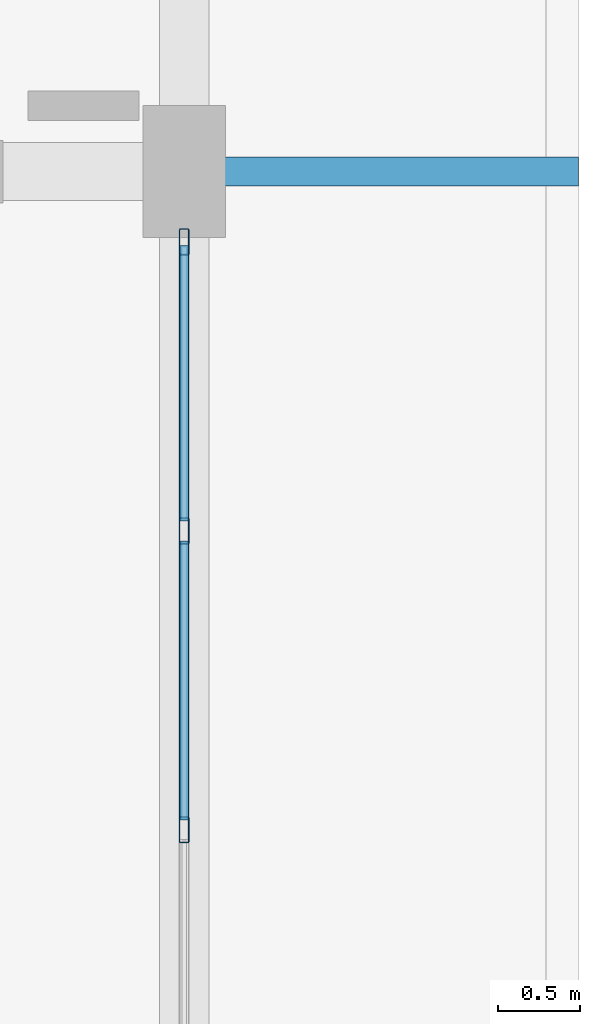
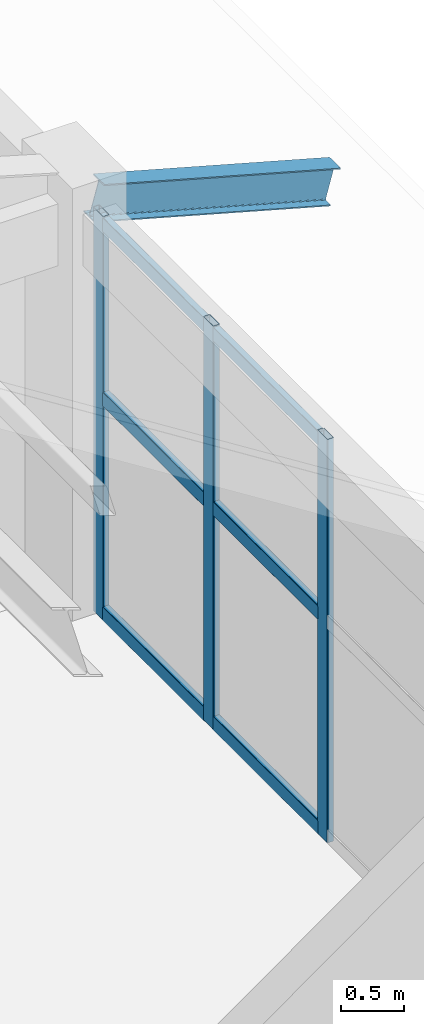
# One storey, part 35 of 58: 9 members, 1 beam, 1 element without a shape of its own.
"""IFC4 building model written with IfcOpenShell, lengths in metres."""

from ifc_helpers import new_model, si_unit, derived_unit, direction, frame, origin, origin_2d, place, context, subcontext, project, spatial, hollow_rectangle, i_section, extrude, material, material_profile, profile_set, type_object, element, aggregate, save


model = new_model("IFC4")

# Units and contexts
model_context = context("Model", 3, precision=1e-05, world=origin(), true_north=direction((0.0, 1.0)))
body_context = subcontext(model_context, "Body", "Model", "MODEL_VIEW")
ifc_project = project(units=[si_unit("LENGTHUNIT", "METRE"), si_unit("AREAUNIT", "SQUARE_METRE"), si_unit("VOLUMEUNIT", "CUBIC_METRE"), si_unit("PLANEANGLEUNIT", "RADIAN"), si_unit("MASSUNIT", "GRAM", prefix="KILO"), derived_unit("THERMALTRANSMITTANCEUNIT", [(si_unit("MASSUNIT", "GRAM", prefix="KILO"), 1), (si_unit("TIMEUNIT", "SECOND"), -3), (si_unit("THERMODYNAMICTEMPERATUREUNIT", "KELVIN"), -1)])], contexts=[model_context])

# Site, building, storey
site_placement = place(None, origin())
site = spatial("IfcSite", under=ifc_project, at=site_placement, CompositionType="ELEMENT")
building_placement = place(site_placement, origin())
building = spatial("IfcBuilding", under=site, at=building_placement, Name="Zhenchuan Archway Interchange", CompositionType="ELEMENT")
storey_placement = place(building_placement, frame((0.0, 0.0, 22.800048828125)))
storey = spatial("IfcBuildingStorey", under=building, at=storey_placement, Name="L05", CompositionType="ELEMENT", Elevation=22.800048828125)

# Beam
ifc_material_1 = material(Name="Steel Q355", Category="steel")
ifc_material_profile_1 = material_profile(ifc_material_1, i_section(OverallWidth=0.175048828125, OverallDepth=0.35009765625, WebThickness=0.007080078125, FlangeThickness=0.010986328125, FilletRadius=0.013916015625, at=origin_2d()), Name="HN 350x175")
ifc_profile_set_1 = profile_set([ifc_material_profile_1], Name="Steel Q355")
beam_type = type_object("IfcBeamType", Name="BM_STL_EAVE_HN350", PredefinedType="BEAM", material=ifc_profile_set_1)
beam_placement = place(storey_placement, frame((171.179931640625, 48.0, 3.719970703125), z_axis=(0.963829493521, 0.0, -0.266519619201), x_axis=(0.0, 1.0, 0.0)))
element("IfcBeam", 1, at=beam_placement, inside=storey, type_object=beam_type, Name="Command wing east storm-eave bracket T4", PredefinedType="BEAM", context=body_context, shape_type="SweptSolid", body=[
    extrude(i_section(OverallWidth=0.175048828125, OverallDepth=0.35009765625, WebThickness=0.007080078125, FlangeThickness=0.010986328125, FilletRadius=0.013916015625, at=origin_2d()), origin(), (0.0, 0.0, 1.0), 2.251708984375),
])

# Curtain wall, members
ifc_material_2 = material(Name="Anodised Aluminium", Category="aluminium")
curtain_wall_type = type_object("IfcCurtainWallType", Name="CW_UNIT_4", PredefinedType="NOTDEFINED", material=ifc_material_2)
curtain_wall_placement = place(storey_placement, origin())
curtain_wall = element("IfcCurtainWall", 2, at=curtain_wall_placement, inside=storey, type_object=curtain_wall_type, Name="Unitised curtain wall CW:L05:207", PredefinedType="NOTDEFINED")
ifc_material_profile_2 = material_profile(ifc_material_2, hollow_rectangle(XDim=0.06005859375, YDim=0.159912109375, WallThickness=0.00390625, InnerFilletRadius=0.00390625, OuterFilletRadius=0.008056640625, at=origin_2d()), Name="ALU 160x60x4")
ifc_profile_set_2 = profile_set([ifc_material_profile_2], Name="Anodised Aluminium")
member_type_1 = type_object("IfcMemberType", Name="CW_MUL_150", PredefinedType="MULLION", material=ifc_profile_set_2)
member_1_placement = place(storey_placement, frame((171.0, 47.572021484375, 0.0), z_axis=(0.0, 0.0, 1.0), x_axis=(1.0, 0.0, 0.0)))
member_1 = element("IfcMember", 3, at=member_1_placement, type_object=member_type_1, Name="CW:L05:207 mullion 0", PredefinedType="MULLION", context=body_context, shape_type="SweptSolid", body=[
    extrude(hollow_rectangle(XDim=0.06005859375, YDim=0.159912109375, WallThickness=0.00390625, InnerFilletRadius=0.00390625, OuterFilletRadius=0.008056640625, at=origin_2d()), origin(), (0.0, 0.0, 1.0), 3.919921875),
])
member_2_placement = place(storey_placement, frame((171.0, 45.81591796875, 0.0), z_axis=(0.0, 0.0, 1.0), x_axis=(1.0, 0.0, 0.0)))
member_2 = element("IfcMember", 4, at=member_2_placement, type_object=member_type_1, Name="CW:L05:207 mullion 1", PredefinedType="MULLION", context=body_context, shape_type="SweptSolid", body=[
    extrude(hollow_rectangle(XDim=0.06005859375, YDim=0.159912109375, WallThickness=0.00390625, InnerFilletRadius=0.00390625, OuterFilletRadius=0.008056640625, at=origin_2d()), origin(), (0.0, 0.0, 1.0), 3.919921875),
])
member_3_placement = place(storey_placement, frame((171.0, 44.0, 0.0), z_axis=(0.0, 0.0, 1.0), x_axis=(1.0, 0.0, 0.0)))
member_3 = element("IfcMember", 5, at=member_3_placement, type_object=member_type_1, Name="CW:L05:207 mullion 2", PredefinedType="MULLION", context=body_context, shape_type="SweptSolid", body=[
    extrude(hollow_rectangle(XDim=0.06005859375, YDim=0.159912109375, WallThickness=0.00390625, InnerFilletRadius=0.00390625, OuterFilletRadius=0.008056640625, at=origin_2d()), origin(), (0.0, 0.0, 1.0), 3.919921875),
])
ifc_material_profile_3 = material_profile(ifc_material_2, hollow_rectangle(XDim=0.06005859375, YDim=0.139892578125, WallThickness=0.00341796875, InnerFilletRadius=0.00341796875, OuterFilletRadius=0.007080078125, at=origin_2d()), Name="ALU 140x60x3.5")
ifc_profile_set_3 = profile_set([ifc_material_profile_3], Name="Anodised Aluminium")
member_type_2 = type_object("IfcMemberType", Name="CW_TRN_140", PredefinedType="USERDEFINED", material=ifc_profile_set_3)
member_4_placement = place(storey_placement, frame((171.0, 47.552001953125, 0.06005859375), z_axis=(0.0, -1.0, 0.0), x_axis=(1.0, 0.0, 0.0)))
member_4 = element("IfcMember", 6, at=member_4_placement, type_object=member_type_2, Name="CW:L05:207 transom 0-1", ObjectType="TRANSOM", PredefinedType="USERDEFINED", context=body_context, shape_type="SweptSolid", body=[
    extrude(hollow_rectangle(XDim=0.06005859375, YDim=0.139892578125, WallThickness=0.00341796875, InnerFilletRadius=0.00341796875, OuterFilletRadius=0.007080078125, at=origin_2d()), origin(), (0.0, 0.0, 1.0), 1.676025390625),
])
member_5_placement = place(storey_placement, frame((171.0, 47.552001953125, 2.14501953125), z_axis=(0.0, -1.0, 0.0), x_axis=(1.0, 0.0, 0.0)))
member_5 = element("IfcMember", 7, at=member_5_placement, type_object=member_type_2, Name="CW:L05:207 transom 0-2", ObjectType="TRANSOM", PredefinedType="USERDEFINED", context=body_context, shape_type="SweptSolid", body=[
    extrude(hollow_rectangle(XDim=0.06005859375, YDim=0.139892578125, WallThickness=0.00341796875, InnerFilletRadius=0.00341796875, OuterFilletRadius=0.007080078125, at=origin_2d()), origin(), (0.0, 0.0, 1.0), 1.676025390625),
])
member_6_placement = place(storey_placement, frame((171.0, 47.552001953125, 3.83984375), z_axis=(0.0, -1.0, 0.0), x_axis=(1.0, 0.0, 0.0)))
member_6 = element("IfcMember", 8, at=member_6_placement, type_object=member_type_2, Name="CW:L05:207 transom 0-3", ObjectType="TRANSOM", PredefinedType="USERDEFINED", context=body_context, shape_type="SweptSolid", body=[
    extrude(hollow_rectangle(XDim=0.06005859375, YDim=0.139892578125, WallThickness=0.00341796875, InnerFilletRadius=0.00341796875, OuterFilletRadius=0.007080078125, at=origin_2d()), origin(), (0.0, 0.0, 1.0), 1.676025390625),
])
member_7_placement = place(storey_placement, frame((171.0, 45.756103515625, 0.06005859375), z_axis=(0.0, -1.0, 0.0), x_axis=(1.0, 0.0, 0.0)))
member_7 = element("IfcMember", 9, at=member_7_placement, type_object=member_type_2, Name="CW:L05:207 transom 1-1", ObjectType="TRANSOM", PredefinedType="USERDEFINED", context=body_context, shape_type="SweptSolid", body=[
    extrude(hollow_rectangle(XDim=0.06005859375, YDim=0.139892578125, WallThickness=0.00341796875, InnerFilletRadius=0.00341796875, OuterFilletRadius=0.007080078125, at=origin_2d()), origin(), (0.0, 0.0, 1.0), 1.696044921875),
])
member_8_placement = place(storey_placement, frame((171.0, 45.756103515625, 2.14501953125), z_axis=(0.0, -1.0, 0.0), x_axis=(1.0, 0.0, 0.0)))
member_8 = element("IfcMember", 10, at=member_8_placement, type_object=member_type_2, Name="CW:L05:207 transom 1-2", ObjectType="TRANSOM", PredefinedType="USERDEFINED", context=body_context, shape_type="SweptSolid", body=[
    extrude(hollow_rectangle(XDim=0.06005859375, YDim=0.139892578125, WallThickness=0.00341796875, InnerFilletRadius=0.00341796875, OuterFilletRadius=0.007080078125, at=origin_2d()), origin(), (0.0, 0.0, 1.0), 1.696044921875),
])
member_9_placement = place(storey_placement, frame((171.0, 45.756103515625, 3.83984375), z_axis=(0.0, -1.0, 0.0), x_axis=(1.0, 0.0, 0.0)))
member_9 = element("IfcMember", 11, at=member_9_placement, type_object=member_type_2, Name="CW:L05:207 transom 1-3", ObjectType="TRANSOM", PredefinedType="USERDEFINED", context=body_context, shape_type="SweptSolid", body=[
    extrude(hollow_rectangle(XDim=0.06005859375, YDim=0.139892578125, WallThickness=0.00341796875, InnerFilletRadius=0.00341796875, OuterFilletRadius=0.007080078125, at=origin_2d()), origin(), (0.0, 0.0, 1.0), 1.696044921875),
])
aggregate(curtain_wall, [member_1, member_2, member_3, member_4, member_5, member_6, member_7, member_8, member_9])

save(model, "model.ifc")
